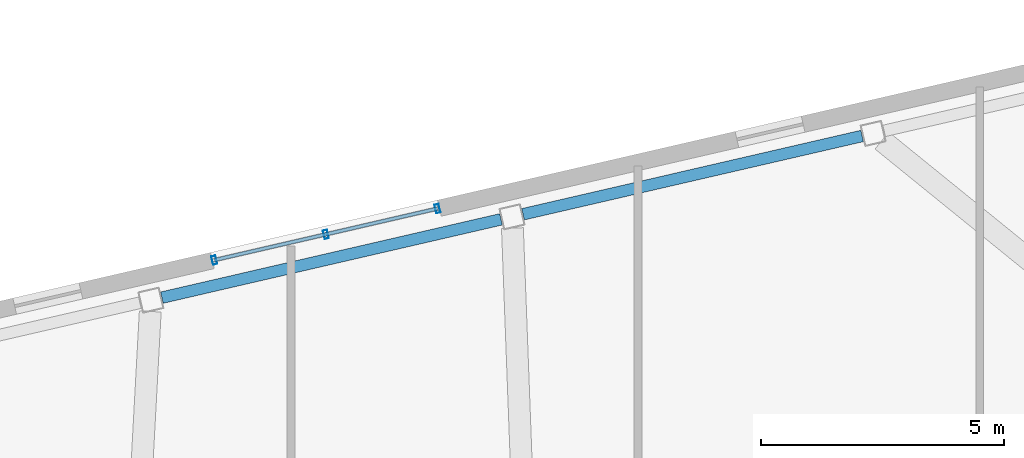
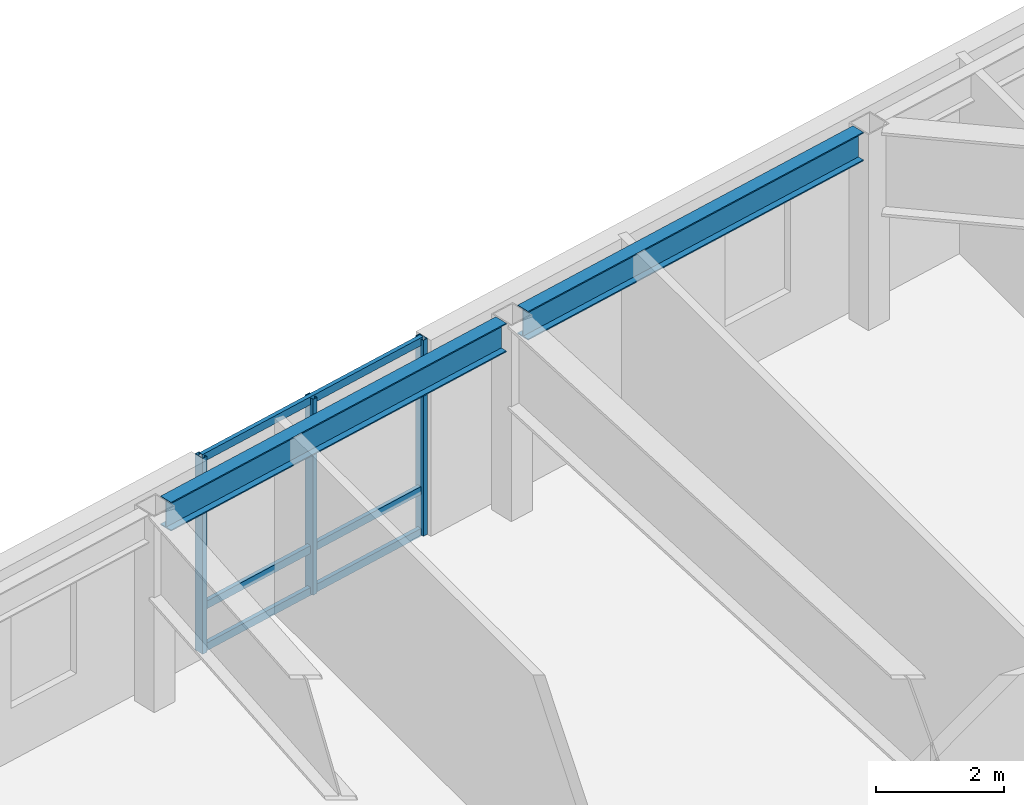
# One storey, part 14 of 23: 6 members, 2 beams, 1 element without a shape of its own.
"""IFC4 building model written with IfcOpenShell, lengths in metres."""

from ifc_helpers import new_model, si_unit, direction, frame, origin, origin_2d, place, context, subcontext, project, spatial, hollow_rectangle, i_section, extrude, material, layer, layer_set, material_profile, profile_set, type_object, element, aggregate, save


model = new_model("IFC4")

# Units and contexts
model_context = context("Model", 3, precision=1e-05, world=origin(), true_north=direction((0.0, 1.0)))
body_context = subcontext(model_context, "Body", "Model", "MODEL_VIEW")
ifc_project = project(units=[si_unit("LENGTHUNIT", "METRE"), si_unit("AREAUNIT", "SQUARE_METRE"), si_unit("VOLUMEUNIT", "CUBIC_METRE"), si_unit("PLANEANGLEUNIT", "RADIAN"), si_unit("MASSUNIT", "GRAM", prefix="KILO")], contexts=[model_context])

# Site, building, storey
site_placement = place(None, origin())
site = spatial("IfcSite", under=ifc_project, at=site_placement, CompositionType="ELEMENT")
building_placement = place(site_placement, origin())
building = spatial("IfcBuilding", under=site, at=building_placement, Name="Tavrogorsk Clinical Tower", CompositionType="ELEMENT")
storey_placement = place(building_placement, frame((0.0, 0.0, 277.0)))
storey = spatial("IfcBuildingStorey", under=building, at=storey_placement, Name="L64", CompositionType="ELEMENT", Elevation=277.0)

# Curtain wall, members
ifc_material_1 = material(Name="Anodised aluminium and triple IGU glazing", Category="aluminium")
ifc_layer = layer(ifc_material_1, 0.179931640625)
ifc_layer_set = layer_set([ifc_layer], Name="Anodised aluminium and triple IGU glazing")
curtain_wall_type = type_object("IfcCurtainWallType", Name="CW2_NorthSlot", PredefinedType="NOTDEFINED", material=ifc_layer_set)
curtain_wall_placement = place(storey_placement, origin())
curtain_wall = element("IfcCurtainWall", 1, at=curtain_wall_placement, inside=storey, type_object=curtain_wall_type, Name="L64 Curtain Wall CW-L64-N-SLOT-2", PredefinedType="NOTDEFINED")
ifc_material_2 = material(Name="Anodised aluminium alloy AW-6060", Category="aluminium")
ifc_material_profile_1 = material_profile(ifc_material_2, hollow_rectangle(XDim=0.090087890625, YDim=0.179931640625, WallThickness=0.00634765625, at=origin_2d()), Name="RHS-180x90x6.3")
ifc_profile_set_1 = profile_set([ifc_material_profile_1], Name="Anodised aluminium alloy AW-6060")
member_type_1 = type_object("IfcMemberType", Name="CwMullion_180x90", PredefinedType="MULLION", material=ifc_profile_set_1)
member_1_placement = place(storey_placement, frame((2.26904296875, 22.400634765625, 0.0), z_axis=(0.0, 0.0, 1.0), x_axis=(-0.974370092441, -0.224950934554, 0.0)))
member_1 = element("IfcMember", 2, at=member_1_placement, type_object=member_type_1, Name="CW-L64-N-SLOT-2 Mullion 1", PredefinedType="MULLION", context=body_context, shape_type="SweptSolid", body=[
    extrude(hollow_rectangle(XDim=0.090087890625, YDim=0.179931640625, WallThickness=0.00634765625, at=origin_2d()), origin(), (0.0, 0.0, 1.0), 3.739990234375),
])
member_2_placement = place(storey_placement, frame((-0.029541015625, 21.869873046875, 0.0), z_axis=(0.0, 0.0, 1.0), x_axis=(-0.974370092441, -0.224950934554, 0.0)))
member_2 = element("IfcMember", 3, at=member_2_placement, type_object=member_type_1, Name="CW-L64-N-SLOT-2 Mullion 2", PredefinedType="MULLION", context=body_context, shape_type="SweptSolid", body=[
    extrude(hollow_rectangle(XDim=0.090087890625, YDim=0.179931640625, WallThickness=0.00634765625, at=origin_2d()), origin(), (0.0, 0.0, 1.0), 3.739990234375),
])
member_3_placement = place(storey_placement, frame((-2.328125, 21.339111328125, 0.0), z_axis=(0.0, 0.0, 1.0), x_axis=(-0.974370092441, -0.224950934554, 0.0)))
member_3 = element("IfcMember", 4, at=member_3_placement, type_object=member_type_1, Name="CW-L64-N-SLOT-2 Mullion 3", PredefinedType="MULLION", context=body_context, shape_type="SweptSolid", body=[
    extrude(hollow_rectangle(XDim=0.090087890625, YDim=0.179931640625, WallThickness=0.00634765625, at=origin_2d()), origin(), (0.0, 0.0, 1.0), 3.739990234375),
])
ifc_material_3 = material(Name="Anodised aluminium alloy AW-6060", Category="aluminium")
ifc_material_profile_2 = material_profile(ifc_material_3, hollow_rectangle(XDim=0.074951171875, YDim=0.14990234375, WallThickness=0.0048828125, at=origin_2d()), Name="RHS-150x75x5")
ifc_profile_set_2 = profile_set([ifc_material_profile_2], Name="Anodised aluminium alloy AW-6060")
member_type_2 = type_object("IfcMemberType", Name="CwTransom_150x75", PredefinedType="USERDEFINED", material=ifc_profile_set_2)
member_4_placement = place(storey_placement, frame((2.26904296875, 22.400634765625, 0.050048828125), z_axis=(-0.974361535497, -0.224987995557, 0.0), x_axis=(0.224987995557, -0.974361535497, 0.0)))
member_4 = element("IfcMember", 5, at=member_4_placement, type_object=member_type_2, Name="CW-L64-N-SLOT-2 Transom 1", ObjectType="TRANSOM", PredefinedType="USERDEFINED", context=body_context, shape_type="SweptSolid", body=[
    extrude(hollow_rectangle(XDim=0.074951171875, YDim=0.14990234375, WallThickness=0.0048828125, at=origin_2d()), origin(), (0.0, 0.0, 1.0), 4.718017578125),
])
member_5_placement = place(storey_placement, frame((2.26904296875, 22.400634765625, 0.85009765625), z_axis=(-0.974361535497, -0.224987995557, 0.0), x_axis=(0.224987995557, -0.974361535497, 0.0)))
member_5 = element("IfcMember", 6, at=member_5_placement, type_object=member_type_2, Name="CW-L64-N-SLOT-2 Transom 2", ObjectType="TRANSOM", PredefinedType="USERDEFINED", context=body_context, shape_type="SweptSolid", body=[
    extrude(hollow_rectangle(XDim=0.074951171875, YDim=0.14990234375, WallThickness=0.0048828125, at=origin_2d()), origin(), (0.0, 0.0, 1.0), 4.718017578125),
])
member_6_placement = place(storey_placement, frame((2.26904296875, 22.400634765625, 3.68994140625), z_axis=(-0.974361535497, -0.224987995557, 0.0), x_axis=(0.224987995557, -0.974361535497, 0.0)))
member_6 = element("IfcMember", 7, at=member_6_placement, type_object=member_type_2, Name="CW-L64-N-SLOT-2 Transom 3", ObjectType="TRANSOM", PredefinedType="USERDEFINED", context=body_context, shape_type="SweptSolid", body=[
    extrude(hollow_rectangle(XDim=0.074951171875, YDim=0.14990234375, WallThickness=0.0048828125, at=origin_2d()), origin(), (0.0, 0.0, 1.0), 4.718017578125),
])
aggregate(curtain_wall, [member_1, member_2, member_3, member_4, member_5, member_6])

# Beams
ifc_material_4 = material(Name="Structural steel S390", Category="steel")
ifc_material_profile_3 = material_profile(ifc_material_4, i_section(OverallWidth=0.239990234375, OverallDepth=0.550048828125, WebThickness=0.013916015625, FlangeThickness=0.02197265625, at=origin_2d()), Name="B-550x240x14x22")
ifc_profile_set_3 = profile_set([ifc_material_profile_3], Name="Structural steel S390")
beam_type = type_object("IfcBeamType", Name="SpandrelBeam_B550", PredefinedType="SPANDREL", material=ifc_profile_set_3)
for number, where, z_axis, x_axis, name in (
    (8, (11.01611328125, 23.896484375, 3.465087890625), (-0.974369378592, -0.224954026551, 0.0), (0.224954026551, -0.974369378592, 0.0), "L64 Perimeter Spandrel N2-N3"),
    (9, (3.577392578125, 22.17919921875, 3.465087890625), (-0.974369378592, -0.224954026551, 0.0), (0.224954026551, -0.974369378592, 0.0), "L64 Perimeter Spandrel N3-N4"),
):
    element("IfcBeam", number, at=place(storey_placement, frame(where, z_axis=z_axis, x_axis=x_axis)), inside=storey, type_object=beam_type, Name=name, PredefinedType="SPANDREL", context=body_context, shape_type="SweptSolid", body=[
        extrude(i_section(OverallWidth=0.239990234375, OverallDepth=0.550048828125, WebThickness=0.013916015625, FlangeThickness=0.02197265625, at=origin_2d()), origin(), (0.0, 0.0, 1.0), 7.16845703125),
    ])

save(model, "model.ifc")
